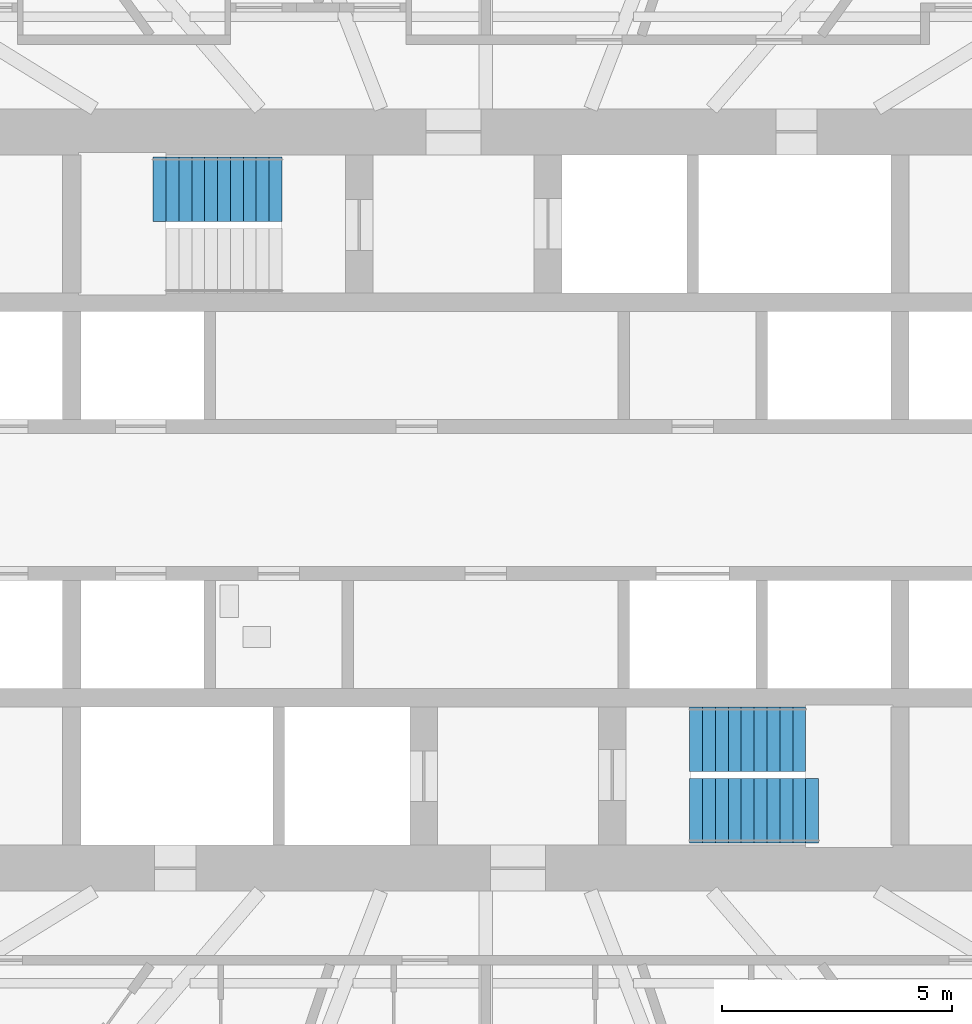
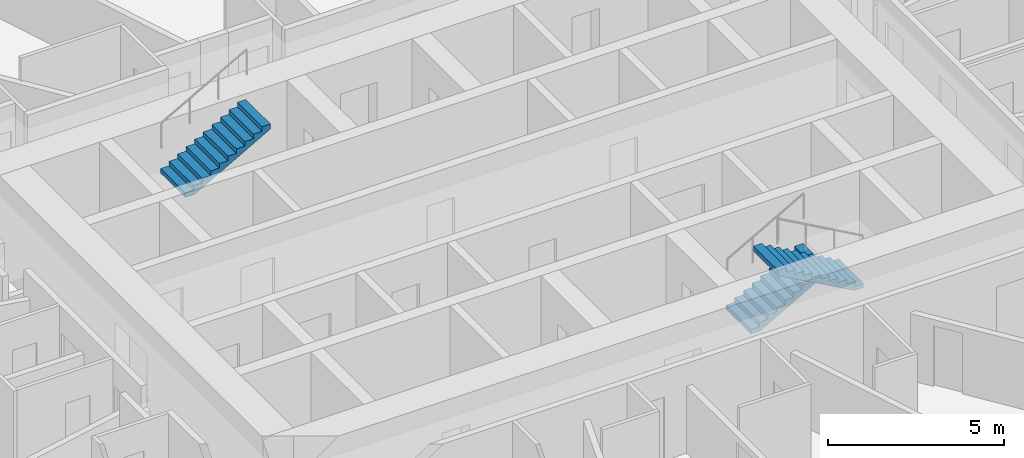
# One storey, part 14 of 16: 3 stair flights, 2 elements without a shape of their own.
"""IFC4 building model written with IfcOpenShell, lengths in metres."""

from ifc_helpers import new_model, si_unit, direction, frame, origin, place, context, subcontext, project, spatial, polyline, outline, extrude, material, type_object, element, aggregate, save


model = new_model("IFC4")

# Units and contexts
model_context = context("Model", 3, precision=1e-05, world=origin(), true_north=direction((0.0, 1.0)))
body_context = subcontext(model_context, "Body", "Model", "MODEL_VIEW")
ifc_project = project(units=[si_unit("LENGTHUNIT", "METRE"), si_unit("AREAUNIT", "SQUARE_METRE"), si_unit("VOLUMEUNIT", "CUBIC_METRE"), si_unit("PLANEANGLEUNIT", "RADIAN"), si_unit("MASSUNIT", "GRAM", prefix="KILO")], contexts=[model_context])

# Site, building, storey
site_placement = place(None, origin())
site = spatial("IfcSite", under=ifc_project, at=site_placement, CompositionType="ELEMENT")
building_placement = place(site_placement, origin())
building = spatial("IfcBuilding", under=site, at=building_placement, Name="Hankou Lantern Tower", CompositionType="ELEMENT")
storey_placement = place(building_placement, frame((0.0, 0.0, 70.5)))
storey = spatial("IfcBuildingStorey", under=building, at=storey_placement, Name="L17", CompositionType="ELEMENT", Elevation=70.5)

# Stair, stair flight
ifc_material_1 = material(Name="Concrete C40", Category="concrete")
stair_type = type_object("IfcStairType", Name="ST33 CORE STAIR 3300 RISE", PredefinedType="HALF_TURN_STAIR", material=ifc_material_1)
stair_1_placement = place(storey_placement, origin())
stair_1 = element("IfcStair", 1, at=stair_1_placement, inside=storey, type_object=stair_type, Name="Stair STB L17", PredefinedType="HALF_TURN_STAIR")
ifc_material_2 = material(Name="Concrete C40", Category="concrete")
stair_flight_type_1 = type_object("IfcStairFlightType", Name="CF10 CORE STAIR FLIGHT 1400 X 10 RISERS", PredefinedType="STRAIGHT", material=ifc_material_2)
stair_flight_1_placement = place(storey_placement, frame((4.429931640625, -5.199951171875, 0.0), z_axis=(0.0, 0.0, 1.0), x_axis=(1.0, 0.0, 0.0)))
stair_flight_1 = element("IfcStairFlight", 2, at=stair_flight_1_placement, type_object=stair_flight_type_1, Name="STB flight 1", NumberOfRisers=10, NumberOfTreads=9, PredefinedType="STRAIGHT", RiserHeight=0.157142857, TreadLength=0.28, context=body_context, shape_type="SweptSolid", body=[
    extrude(outline(polyline([(0.0, 0.0), (0.0, 0.1572265625), (0.280029296875, 0.1572265625), (0.280029296875, 0.314208984375), (0.56005859375, 0.314208984375), (0.56005859375, 0.471435546875), (0.840087890625, 0.471435546875), (0.840087890625, 0.628662109375), (1.1201171875, 0.628662109375), (1.1201171875, 0.78564453125), (1.39990234375, 0.78564453125), (1.39990234375, 0.94287109375), (1.679931640625, 0.94287109375), (1.679931640625, 1.10009765625), (1.9599609375, 1.10009765625), (1.9599609375, 1.257080078125), (2.239990234375, 1.257080078125), (2.239990234375, 1.414306640625), (2.52001953125, 1.414306640625), (2.52001953125, 1.571533203125), (2.52001953125, 1.242431640625), (0.306396484375, 0.0), (0.0, 0.0)])), frame((0.0, 0.699951171875, 0.0), z_axis=(0.0, -1.0, 0.0), x_axis=(1.0, 0.0, 0.0)), (0.0, 0.0, 1.0), 1.39990234375),
])

stair_2_placement = place(storey_placement, origin())
stair_2 = element("IfcStair", 3, at=stair_2_placement, inside=storey, type_object=stair_type, Name="Stair STA L17", PredefinedType="HALF_TURN_STAIR")
ifc_material_3 = material(Name="Concrete C40", Category="concrete")
stair_flight_type_2 = type_object("IfcStairFlightType", Name="CF11 CORE STAIR FLIGHT 1400 X 11 RISERS", PredefinedType="STRAIGHT", material=ifc_material_3)
stair_flight_2_placement = place(storey_placement, frame((-7.22998046875, 6.75, 1.571533203125), z_axis=(0.0, 0.0, 1.0), x_axis=(1.0, 0.0, 0.0)))
stair_flight_2 = element("IfcStairFlight", 4, at=stair_flight_2_placement, type_object=stair_flight_type_2, Name="STA flight 2", NumberOfRisers=11, NumberOfTreads=10, PredefinedType="STRAIGHT", RiserHeight=0.157142857, TreadLength=0.28, context=body_context, shape_type="SweptSolid", body=[
    extrude(outline(polyline([(0.0, 0.0), (0.0, 0.1572265625), (0.280029296875, 0.1572265625), (0.280029296875, 0.314208984375), (0.56005859375, 0.314208984375), (0.56005859375, 0.471435546875), (0.840087890625, 0.471435546875), (0.840087890625, 0.628662109375), (1.1201171875, 0.628662109375), (1.1201171875, 0.78564453125), (1.39990234375, 0.78564453125), (1.39990234375, 0.94287109375), (1.679931640625, 0.94287109375), (1.679931640625, 1.10009765625), (1.9599609375, 1.10009765625), (1.9599609375, 1.257080078125), (2.239990234375, 1.257080078125), (2.239990234375, 1.414306640625), (2.52001953125, 1.414306640625), (2.52001953125, 1.571533203125), (2.800048828125, 1.571533203125), (2.800048828125, 1.728515625), (2.800048828125, 1.3994140625), (0.306396484375, 0.0), (0.0, 0.0)])), frame((0.0, 0.699951171875, 0.0), z_axis=(0.0, -1.0, 0.0), x_axis=(1.0, 0.0, 0.0)), (0.0, 0.0, 1.0), 1.39990234375),
])
aggregate(stair_2, [stair_flight_2])

# Stair flight
stair_flight_3_placement = place(storey_placement, frame((7.22998046875, -6.75, 1.571533203125), z_axis=(0.0, 0.0, 1.0), x_axis=(-1.0, 0.0, 0.0)))
stair_flight_3 = element("IfcStairFlight", 5, at=stair_flight_3_placement, type_object=stair_flight_type_2, Name="STB flight 2", NumberOfRisers=11, NumberOfTreads=10, PredefinedType="STRAIGHT", RiserHeight=0.157142857, TreadLength=0.28, context=body_context, shape_type="SweptSolid", body=[
    extrude(outline(polyline([(0.0, 0.0), (0.0, 0.1572265625), (0.280029296875, 0.1572265625), (0.280029296875, 0.314208984375), (0.56005859375, 0.314208984375), (0.56005859375, 0.471435546875), (0.840087890625, 0.471435546875), (0.840087890625, 0.628662109375), (1.1201171875, 0.628662109375), (1.1201171875, 0.78564453125), (1.39990234375, 0.78564453125), (1.39990234375, 0.94287109375), (1.679931640625, 0.94287109375), (1.679931640625, 1.10009765625), (1.9599609375, 1.10009765625), (1.9599609375, 1.257080078125), (2.239990234375, 1.257080078125), (2.239990234375, 1.414306640625), (2.52001953125, 1.414306640625), (2.52001953125, 1.571533203125), (2.800048828125, 1.571533203125), (2.800048828125, 1.728515625), (2.800048828125, 1.3994140625), (0.306396484375, 0.0), (0.0, 0.0)])), frame((0.0, 0.699951171875, 0.0), z_axis=(0.0, -1.0, 0.0), x_axis=(1.0, 0.0, 0.0)), (0.0, 0.0, 1.0), 1.39990234375),
])

aggregate(stair_1, [stair_flight_1, stair_flight_3])

save(model, "model.ifc")
